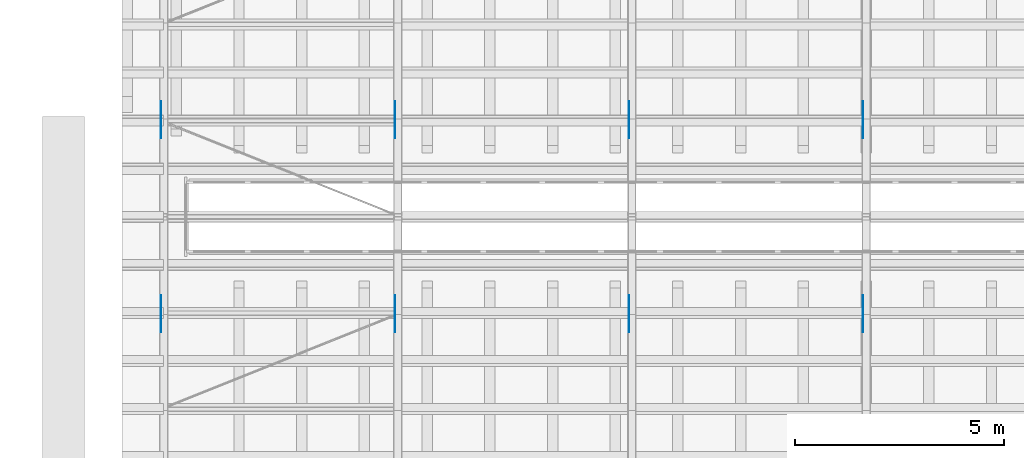
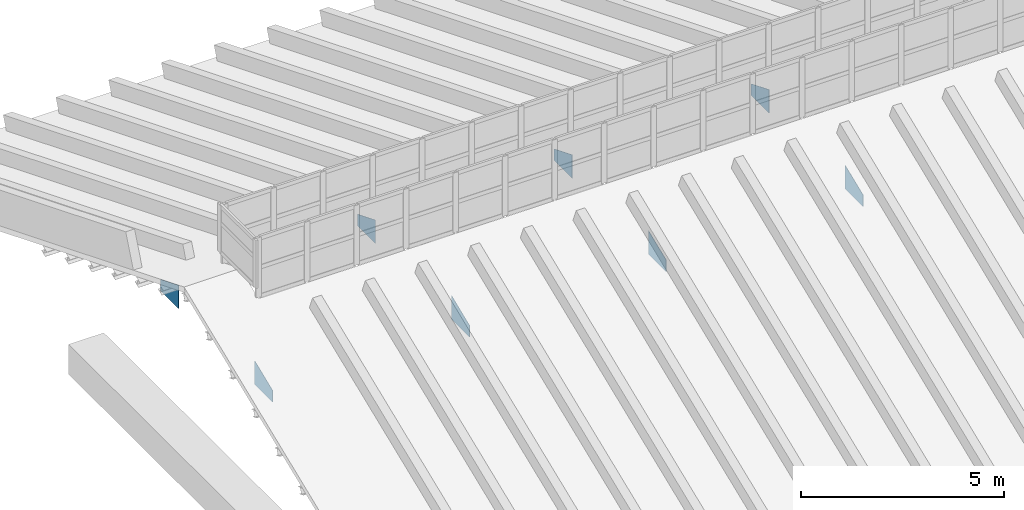
# One storey, part 64 of 105: 8 discrete accessories.
"""IFC4 building model written with IfcOpenShell, lengths in metres."""

from ifc_helpers import new_model, si_unit, direction, frame, origin, place, context, subcontext, project, spatial, polyline, outline, extrude, element, save


model = new_model("IFC4")

# Units and contexts
model_context = context("Model", 3, precision=1e-05, world=origin(), true_north=direction((0.0, 1.0)))
body_context = subcontext(model_context, "Body", "Model", "MODEL_VIEW")
ifc_project = project(units=[si_unit("LENGTHUNIT", "METRE"), si_unit("AREAUNIT", "SQUARE_METRE"), si_unit("VOLUMEUNIT", "CUBIC_METRE"), si_unit("PLANEANGLEUNIT", "RADIAN"), si_unit("MASSUNIT", "GRAM", prefix="KILO")], contexts=[model_context])

# Site, building, storey
site_placement = place(None, origin())
site = spatial("IfcSite", under=ifc_project, at=site_placement, CompositionType="ELEMENT")
building_placement = place(site_placement, origin())
building = spatial("IfcBuilding", under=site, at=building_placement, Name="Wasatch Bagh Community Centre", CompositionType="ELEMENT")
storey_placement = place(building_placement, frame((0.0, 0.0, 16.800048828125)))
storey = spatial("IfcBuildingStorey", under=building, at=storey_placement, Name="L04", CompositionType="ELEMENT", Elevation=16.800048828125)

# Discrete accessories
discrete_accessory_1_placement = place(storey_placement, frame((112.1240234375, 49.24072265625, 1.6494140625), z_axis=(-1.0, 0.0, 0.0), x_axis=(0.0, 0.926149695803, 0.377156122799)))
element("IfcDiscreteAccessory", 1, at=discrete_accessory_1_placement, inside=storey, Name="Gusset plate", PredefinedType="BRACKET", context=body_context, shape_type="SweptSolid", body=[
    extrude(outline(polyline([(0.0, 0.0), (0.49584696481169466, 0.0), (0.9522443927677454, 0.0010694882941716388), (0.6851228321623455, 0.657016819232497), (-0.13204147463224525, 0.3242428378371453), (0.0, 0.0)])), origin(), (0.0, 0.0, -1.0), 0.011962890625),
])
discrete_accessory_2_placement = place(storey_placement, frame((112.1240234375, 53.876953125, 2.007568359375), z_axis=(-1.0, 0.0, 0.0), x_axis=(0.0, 0.927030950584, -0.374984821904)))
element("IfcDiscreteAccessory", 2, at=discrete_accessory_2_placement, inside=storey, Name="Gusset plate", PredefinedType="BRACKET", context=body_context, shape_type="SweptSolid", body=[
    extrude(outline(polyline([(0.0, 0.0), (0.45639868103458614, 0.0), (0.9522442844593744, 0.0011619282583475998), (1.083525591737308, 0.32571329132918725), (0.26558373250577744, 0.6565714813587907), (0.0, 0.0)])), origin(), (0.0, 0.0, -1.0), 0.011962890625),
])
discrete_accessory_3_placement = place(storey_placement, frame((117.72412109375, 49.24072265625, 1.6494140625), z_axis=(-1.0, 0.0, 0.0), x_axis=(0.0, 0.926149695803, 0.377156122799)))
element("IfcDiscreteAccessory", 3, at=discrete_accessory_3_placement, inside=storey, Name="Gusset plate", PredefinedType="BRACKET", context=body_context, shape_type="SweptSolid", body=[
    extrude(outline(polyline([(0.0, 0.0), (0.49584696481169466, 0.0), (0.9522443927677454, 0.0010694882941716388), (0.6851228321623455, 0.657016819232497), (-0.13204147463224525, 0.3242428378371453), (0.0, 0.0)])), origin(), (0.0, 0.0, -1.0), 0.011962890625),
])
discrete_accessory_4_placement = place(storey_placement, frame((117.72412109375, 53.876953125, 2.007568359375), z_axis=(-1.0, 0.0, 0.0), x_axis=(0.0, 0.927030950584, -0.374984821904)))
element("IfcDiscreteAccessory", 4, at=discrete_accessory_4_placement, inside=storey, Name="Gusset plate", PredefinedType="BRACKET", context=body_context, shape_type="SweptSolid", body=[
    extrude(outline(polyline([(0.0, 0.0), (0.45639868103458614, 0.0), (0.9522442844593744, 0.0011619282583475998), (1.083525591737308, 0.32571329132918725), (0.26558373250577744, 0.6565714813587907), (0.0, 0.0)])), origin(), (0.0, 0.0, -1.0), 0.011962890625),
])
discrete_accessory_5_placement = place(storey_placement, frame((123.323974609375, 49.24072265625, 1.6494140625), z_axis=(-1.0, 0.0, 0.0), x_axis=(0.0, 0.926149695803, 0.377156122799)))
element("IfcDiscreteAccessory", 5, at=discrete_accessory_5_placement, inside=storey, Name="Gusset plate", PredefinedType="BRACKET", context=body_context, shape_type="SweptSolid", body=[
    extrude(outline(polyline([(0.0, 0.0), (0.49584696481169466, 0.0), (0.9522443927677454, 0.0010694882941716388), (0.6851228321623455, 0.657016819232497), (-0.13204147463224525, 0.3242428378371453), (0.0, 0.0)])), origin(), (0.0, 0.0, -1.0), 0.011962890625),
])
discrete_accessory_6_placement = place(storey_placement, frame((123.323974609375, 53.876953125, 2.007568359375), z_axis=(-1.0, 0.0, 0.0), x_axis=(0.0, 0.927030950584, -0.374984821904)))
element("IfcDiscreteAccessory", 6, at=discrete_accessory_6_placement, inside=storey, Name="Gusset plate", PredefinedType="BRACKET", context=body_context, shape_type="SweptSolid", body=[
    extrude(outline(polyline([(0.0, 0.0), (0.45639868103458614, 0.0), (0.9522442844593744, 0.0011619282583475998), (1.083525591737308, 0.32571329132918725), (0.26558373250577744, 0.6565714813587907), (0.0, 0.0)])), origin(), (0.0, 0.0, -1.0), 0.011962890625),
])
discrete_accessory_7_placement = place(storey_placement, frame((128.924072265625, 49.24072265625, 1.6494140625), z_axis=(-1.0, 0.0, 0.0), x_axis=(0.0, 0.926149695803, 0.377156122799)))
element("IfcDiscreteAccessory", 7, at=discrete_accessory_7_placement, inside=storey, Name="Gusset plate", PredefinedType="BRACKET", context=body_context, shape_type="SweptSolid", body=[
    extrude(outline(polyline([(0.0, 0.0), (0.49584696481169466, 0.0), (0.9522443927677454, 0.0010694882941716388), (0.6851228321623455, 0.657016819232497), (-0.13204147463224525, 0.3242428378371453), (0.0, 0.0)])), origin(), (0.0, 0.0, -1.0), 0.011962890625),
])
discrete_accessory_8_placement = place(storey_placement, frame((128.924072265625, 53.876953125, 2.007568359375), z_axis=(-1.0, 0.0, 0.0), x_axis=(0.0, 0.927030950584, -0.374984821904)))
element("IfcDiscreteAccessory", 8, at=discrete_accessory_8_placement, inside=storey, Name="Gusset plate", PredefinedType="BRACKET", context=body_context, shape_type="SweptSolid", body=[
    extrude(outline(polyline([(0.0, 0.0), (0.45639868103458614, 0.0), (0.9522442844593744, 0.0011619282583475998), (1.083525591737308, 0.32571329132918725), (0.26558373250577744, 0.6565714813587907), (0.0, 0.0)])), origin(), (0.0, 0.0, -1.0), 0.011962890625),
])

save(model, "model.ifc")
